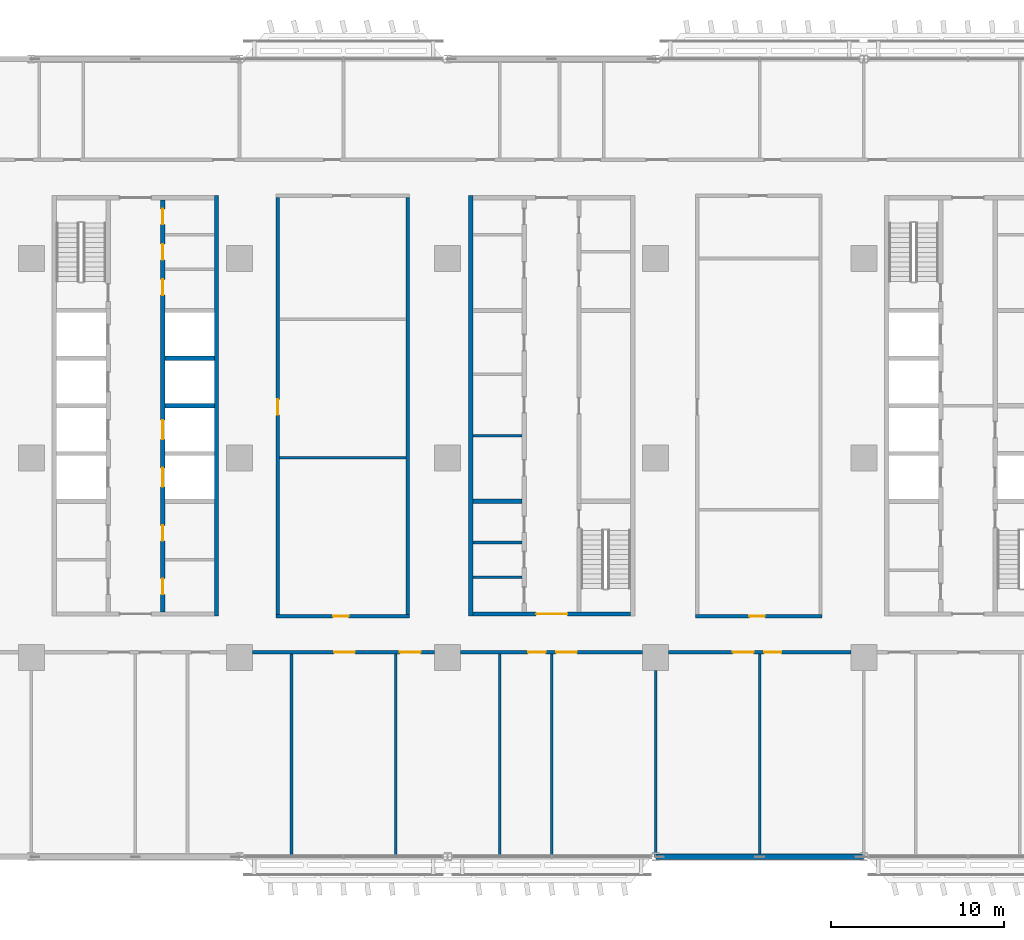
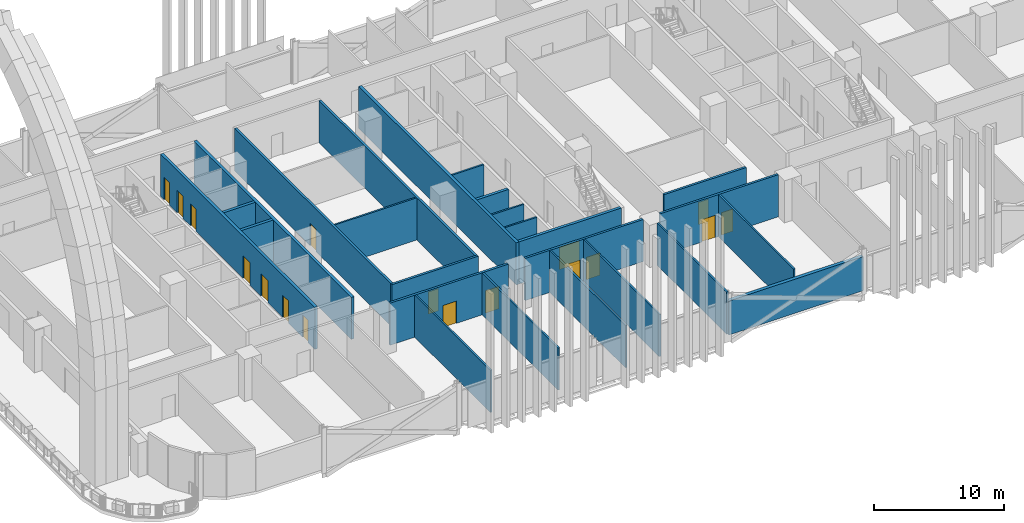
# One storey, part 10 of 29: 25 walls, 17 doors, 17 openings.
"""IFC4 building model written with IfcOpenShell, lengths in metres."""

from ifc_helpers import new_model, si_unit, direction, frame, frame_2d, origin, place, context, subcontext, project, spatial, rectangle, extrude, material, layer, layer_set, type_object, element, fill, save


model = new_model("IFC4")

# Units and contexts
model_context = context("Model", 3, precision=1e-05, world=origin(), true_north=direction((0.0, 1.0)))
body_context = subcontext(model_context, "Body", "Model", "MODEL_VIEW")
ifc_project = project(units=[si_unit("LENGTHUNIT", "METRE"), si_unit("AREAUNIT", "SQUARE_METRE"), si_unit("VOLUMEUNIT", "CUBIC_METRE"), si_unit("PLANEANGLEUNIT", "RADIAN"), si_unit("MASSUNIT", "GRAM", prefix="KILO")], contexts=[model_context])

# Site, building, storey
site_placement = place(None, origin())
site = spatial("IfcSite", under=ifc_project, at=site_placement, CompositionType="ELEMENT")
building_placement = place(site_placement, origin())
building = spatial("IfcBuilding", under=site, at=building_placement, Name="Mahtab Terrace Research Tower", CompositionType="ELEMENT")
storey_placement = place(building_placement, frame((0.0, 0.0, 46.0)))
storey = spatial("IfcBuildingStorey", under=building, at=storey_placement, Name="L10", CompositionType="ELEMENT", Elevation=46.0)

# Walls
ifc_material_1 = material(Name="Gypsum board partition")
ifc_layer_1 = layer(ifc_material_1, 0.14990234375)
ifc_layer_set_1 = layer_set([ifc_layer_1], Name="Core partition 150")
wall_type_1 = type_object("IfcWallType", Name="Core partition 150", PredefinedType="PARTITIONING", material=ifc_layer_set_1)
for number, where, z_axis, x_axis, name in (
    (1, (-4.550048828125, 1.280029296875, 0.0), (0.0, 0.0, 1.0), (1.0, 0.0, 0.0), "Core wall B pWL-172"),
    (2, (-4.550048828125, -6.875, 0.0), (0.0, 0.0, 1.0), (1.0, 0.0, 0.0), "Core wall B pWS-988"),
    (3, (-4.550048828125, -4.875, 0.0), (0.0, 0.0, 1.0), (1.0, 0.0, 0.0), "Core wall B pWS-788"),
):
    element("IfcWall", number, at=place(storey_placement, frame(where, z_axis=z_axis, x_axis=x_axis)), inside=storey, type_object=wall_type_1, Name=name, PredefinedType="PARTITIONING", context=body_context, shape_type="SweptSolid", body=[
        extrude(rectangle(XDim=2.85009765625, YDim=0.14990234375, at=frame_2d((1.425048828125, 0.0))), origin(), (0.0, 0.0, 1.0), 3.9599609375),
    ])
ifc_material_2 = material(Name="Concrete C70/85", Category="concrete")
ifc_layer_2 = layer(ifc_material_2, 0.25)
ifc_layer_set_2 = layer_set([ifc_layer_2], Name="Core wall 250")
wall_type_2 = type_object("IfcWallType", Name="Core wall 250", PredefinedType="SOLIDWALL", material=ifc_layer_set_2)
wall_1_placement = place(storey_placement, frame((-19.324951171875, -9.125, 0.0), z_axis=(0.0, 0.0, 1.0), x_axis=(0.0, 1.0, 0.0)))
element("IfcWall", 4, at=wall_1_placement, inside=storey, type_object=wall_type_2, Name="Core wall A outerE", PredefinedType="SOLIDWALL", context=body_context, shape_type="SweptSolid", body=[
    extrude(rectangle(XDim=24.25, YDim=0.25, at=frame_2d((12.125, 0.0))), origin(), (0.0, 0.0, 1.0), 3.9599609375),
])

# Wall, openings, doors
wall_2_placement = place(storey_placement, frame((-22.425048828125, 14.875, 0.0), z_axis=(0.0, 0.0, 1.0), x_axis=(0.0, -1.0, 0.0)))
wall_2 = element("IfcWall", 5, at=wall_2_placement, inside=storey, type_object=wall_type_2, Name="Core wall A innerESLN", PredefinedType="SOLIDWALL", context=body_context, shape_type="SweptSolid", body=[
    extrude(rectangle(XDim=23.75, YDim=0.25, at=frame_2d((11.875, 0.0))), origin(), (0.0, 0.0, 1.0), 3.9599609375),
])
opening_1_placement = place(wall_2_placement, frame((15.449951171875, 0.0, 0.0)))
opening_1 = element("IfcOpeningElement", 6, at=opening_1_placement, cuts=wall_2, Name="Opening LD05-L10", PredefinedType="OPENING", context=body_context, shape_type="SweptSolid", body=[
    extrude(rectangle(XDim=1.10009765625, YDim=2.10009765625, at=frame_2d((0.550048828125, 1.050048828125))), frame((0.0, 0.135009765625, 0.0), z_axis=(0.0, -1.0, 0.0), x_axis=(1.0, 0.0, 0.0)), (0.0, 0.0, 1.0), 0.27001953125),
])
opening_2_placement = place(wall_2_placement, frame((12.699951171875, 0.0, 0.0)))
opening_2 = element("IfcOpeningElement", 7, at=opening_2_placement, cuts=wall_2, Name="Opening LD06-L10", PredefinedType="OPENING", context=body_context, shape_type="SweptSolid", body=[
    extrude(rectangle(XDim=1.10009765625, YDim=2.10009765625, at=frame_2d((0.550048828125, 1.050048828125))), frame((0.0, 0.135009765625, 0.0), z_axis=(0.0, -1.0, 0.0), x_axis=(1.0, 0.0, 0.0)), (0.0, 0.0, 1.0), 0.27001953125),
])
opening_3_placement = place(wall_2_placement, frame((21.83740234375, 0.0, 0.0)))
opening_3 = element("IfcOpeningElement", 8, at=opening_3_placement, cuts=wall_2, Name="Opening A-R3", PredefinedType="OPENING", context=body_context, shape_type="SweptSolid", body=[
    extrude(rectangle(XDim=0.89990234375, YDim=2.10009765625, at=frame_2d((0.449951171875, 1.050048828125))), frame((0.0, 0.135009765625, 0.0), z_axis=(0.0, -1.0, 0.0), x_axis=(1.0, 0.0, 0.0)), (0.0, 0.0, 1.0), 0.27001953125),
])
opening_4_placement = place(wall_2_placement, frame((18.762451171875, 0.0, 0.0)))
opening_4 = element("IfcOpeningElement", 9, at=opening_4_placement, cuts=wall_2, Name="Opening A-R4", PredefinedType="OPENING", context=body_context, shape_type="SweptSolid", body=[
    extrude(rectangle(XDim=0.89990234375, YDim=2.10009765625, at=frame_2d((0.449951171875, 1.050048828125))), frame((0.0, 0.135009765625, 0.0), z_axis=(0.0, -1.0, 0.0), x_axis=(1.0, 0.0, 0.0)), (0.0, 0.0, 1.0), 0.27001953125),
])
opening_5_placement = place(wall_2_placement, frame((4.58740234375, 0.0, 0.0)))
opening_5 = element("IfcOpeningElement", 10, at=opening_5_placement, cuts=wall_2, Name="Opening A-R5", PredefinedType="OPENING", context=body_context, shape_type="SweptSolid", body=[
    extrude(rectangle(XDim=0.89990234375, YDim=2.10009765625, at=frame_2d((0.449951171875, 1.050048828125))), frame((0.0, 0.135009765625, 0.0), z_axis=(0.0, -1.0, 0.0), x_axis=(1.0, 0.0, 0.0)), (0.0, 0.0, 1.0), 0.27001953125),
])
opening_6_placement = place(wall_2_placement, frame((2.550048828125, 0.0, 0.0)))
opening_6 = element("IfcOpeningElement", 11, at=opening_6_placement, cuts=wall_2, Name="Opening A-R6", PredefinedType="OPENING", context=body_context, shape_type="SweptSolid", body=[
    extrude(rectangle(XDim=0.89990234375, YDim=2.10009765625, at=frame_2d((0.449951171875, 1.050048828125))), frame((0.0, 0.135009765625, 0.0), z_axis=(0.0, -1.0, 0.0), x_axis=(1.0, 0.0, 0.0)), (0.0, 0.0, 1.0), 0.27001953125),
])
opening_7_placement = place(wall_2_placement, frame((0.512451171875, 0.0, 0.0)))
opening_7 = element("IfcOpeningElement", 12, at=opening_7_placement, cuts=wall_2, Name="Opening A-R7", PredefinedType="OPENING", context=body_context, shape_type="SweptSolid", body=[
    extrude(rectangle(XDim=0.89990234375, YDim=2.10009765625, at=frame_2d((0.449951171875, 1.050048828125))), frame((0.0, 0.135009765625, 0.0), z_axis=(0.0, -1.0, 0.0), x_axis=(1.0, 0.0, 0.0)), (0.0, 0.0, 1.0), 0.27001953125),
])
ifc_material_3 = material(Name="Stainless steel AISI 304", Category="steel")
door_type_1 = type_object("IfcDoorType", Name="Landing door 1100x2100", OperationType="DOUBLE_DOOR_SLIDING", PredefinedType="DOOR", material=ifc_material_3)
door_1_placement = place(opening_1_placement, origin())
door_1 = element("IfcDoor", 13, at=door_1_placement, inside=storey, type_object=door_type_1, Name="Landing door LR5 L10", OperationType="DOUBLE_DOOR_SLIDING", OverallHeight=2.10009765625, OverallWidth=1.10009765625, PredefinedType="DOOR", context=body_context, shape_type="SweptSolid", body=[
    extrude(rectangle(XDim=1.10009765625, YDim=2.10009765625, at=frame_2d((0.550048828125, 1.050048828125))), frame((0.0, 0.02490234375, 0.0), z_axis=(0.0, -1.0, 0.0), x_axis=(1.0, 0.0, 0.0)), (0.0, 0.0, 1.0), 0.050048828125),
])
fill(opening_1, door_1)
door_2_placement = place(opening_2_placement, origin())
door_2 = element("IfcDoor", 14, at=door_2_placement, inside=storey, type_object=door_type_1, Name="Landing door LR6 L10", OperationType="DOUBLE_DOOR_SLIDING", OverallHeight=2.10009765625, OverallWidth=1.10009765625, PredefinedType="DOOR", context=body_context, shape_type="SweptSolid", body=[
    extrude(rectangle(XDim=1.10009765625, YDim=2.10009765625, at=frame_2d((0.550048828125, 1.050048828125))), frame((0.0, 0.02490234375, 0.0), z_axis=(0.0, -1.0, 0.0), x_axis=(1.0, 0.0, 0.0)), (0.0, 0.0, 1.0), 0.050048828125),
])
fill(opening_2, door_2)
ifc_material_4 = material(Name="Steel fire door", Category="steel")
door_type_2 = type_object("IfcDoorType", Name="Room door 900x2100 1 HR", OperationType="NOTDEFINED", PredefinedType="DOOR", material=ifc_material_4)
door_3_placement = place(opening_3_placement, origin())
door_3 = element("IfcDoor", 15, at=door_3_placement, inside=storey, type_object=door_type_2, Name="Housekeeping store door", OperationType="SINGLE_SWING_LEFT", OverallHeight=2.10009765625, OverallWidth=0.89990234375, PredefinedType="DOOR", context=body_context, shape_type="SweptSolid", body=[
    extrude(rectangle(XDim=0.89990234375, YDim=2.10009765625, at=frame_2d((0.449951171875, 1.050048828125))), frame((0.0, 0.02490234375, 0.0), z_axis=(0.0, -1.0, 0.0), x_axis=(1.0, 0.0, 0.0)), (0.0, 0.0, 1.0), 0.050048828125),
])
fill(opening_3, door_3)
door_4_placement = place(opening_4_placement, origin())
door_4 = element("IfcDoor", 16, at=door_4_placement, inside=storey, type_object=door_type_2, Name="Electrical riser room door", OperationType="SINGLE_SWING_RIGHT", OverallHeight=2.10009765625, OverallWidth=0.89990234375, PredefinedType="DOOR", context=body_context, shape_type="SweptSolid", body=[
    extrude(rectangle(XDim=0.89990234375, YDim=2.10009765625, at=frame_2d((0.449951171875, 1.050048828125))), frame((0.0, 0.02490234375, 0.0), z_axis=(0.0, -1.0, 0.0), x_axis=(1.0, 0.0, 0.0)), (0.0, 0.0, 1.0), 0.050048828125),
])
fill(opening_4, door_4)
door_5_placement = place(opening_5_placement, origin())
door_5 = element("IfcDoor", 17, at=door_5_placement, inside=storey, type_object=door_type_2, Name="Comms riser room door", OperationType="SINGLE_SWING_LEFT", OverallHeight=2.10009765625, OverallWidth=0.89990234375, PredefinedType="DOOR", context=body_context, shape_type="SweptSolid", body=[
    extrude(rectangle(XDim=0.89990234375, YDim=2.10009765625, at=frame_2d((0.449951171875, 1.050048828125))), frame((0.0, 0.02490234375, 0.0), z_axis=(0.0, -1.0, 0.0), x_axis=(1.0, 0.0, 0.0)), (0.0, 0.0, 1.0), 0.050048828125),
])
fill(opening_5, door_5)
door_6_placement = place(opening_6_placement, origin())
door_6 = element("IfcDoor", 18, at=door_6_placement, inside=storey, type_object=door_type_2, Name="Pantry door", OperationType="SINGLE_SWING_RIGHT", OverallHeight=2.10009765625, OverallWidth=0.89990234375, PredefinedType="DOOR", context=body_context, shape_type="SweptSolid", body=[
    extrude(rectangle(XDim=0.89990234375, YDim=2.10009765625, at=frame_2d((0.449951171875, 1.050048828125))), frame((0.0, 0.02490234375, 0.0), z_axis=(0.0, -1.0, 0.0), x_axis=(1.0, 0.0, 0.0)), (0.0, 0.0, 1.0), 0.050048828125),
])
fill(opening_6, door_6)
door_7_placement = place(opening_7_placement, origin())
door_7 = element("IfcDoor", 19, at=door_7_placement, inside=storey, type_object=door_type_2, Name="Cleaners store door", OperationType="SINGLE_SWING_LEFT", OverallHeight=2.10009765625, OverallWidth=0.89990234375, PredefinedType="DOOR", context=body_context, shape_type="SweptSolid", body=[
    extrude(rectangle(XDim=0.89990234375, YDim=2.10009765625, at=frame_2d((0.449951171875, 1.050048828125))), frame((0.0, 0.02490234375, 0.0), z_axis=(0.0, -1.0, 0.0), x_axis=(1.0, 0.0, 0.0)), (0.0, 0.0, 1.0), 0.050048828125),
])
fill(opening_7, door_7)

# Walls
for number, where, z_axis, x_axis, name in (
    (20, (-22.300048828125, 3.0, 0.0), (0.0, 0.0, 1.0), (1.0, 0.0, 0.0), "Core wall A divE2"),
    (21, (-22.300048828125, 5.75, 0.0), (0.0, 0.0, 1.0), (1.0, 0.0, 0.0), "Core wall A divE3"),
):
    element("IfcWall", number, at=place(storey_placement, frame(where, z_axis=z_axis, x_axis=x_axis)), inside=storey, type_object=wall_type_2, Name=name, PredefinedType="SOLIDWALL", context=body_context, shape_type="SweptSolid", body=[
        extrude(rectangle(XDim=2.85009765625, YDim=0.25, at=frame_2d((1.425048828125, 0.0))), origin(), (0.0, 0.0, 1.0), 3.9599609375),
    ])
wall_3_placement = place(storey_placement, frame((-4.675048828125, 15.125, 0.0), z_axis=(0.0, 0.0, 1.0), x_axis=(0.0, -1.0, 0.0)))
element("IfcWall", 22, at=wall_3_placement, inside=storey, type_object=wall_type_2, Name="Core wall B outerW", PredefinedType="SOLIDWALL", context=body_context, shape_type="SweptSolid", body=[
    extrude(rectangle(XDim=24.25, YDim=0.25, at=frame_2d((12.125, 0.0))), origin(), (0.0, 0.0, 1.0), 3.9599609375),
])

# Wall, opening, door
wall_4_placement = place(storey_placement, frame((4.550048828125, -9.0, 0.0), z_axis=(0.0, 0.0, 1.0), x_axis=(-1.0, 0.0, 0.0)))
wall_4 = element("IfcWall", 23, at=wall_4_placement, inside=storey, type_object=wall_type_2, Name="Core wall B endS", PredefinedType="SOLIDWALL", context=body_context, shape_type="SweptSolid", body=[
    extrude(rectangle(XDim=9.10009765625, YDim=0.25, at=frame_2d((4.550048828125, 0.0))), origin(), (0.0, 0.0, 1.0), 3.9599609375),
])
opening_8_placement = place(wall_4_placement, frame((3.64990234375, 0.0, 0.0)))
opening_8 = element("IfcOpeningElement", 24, at=opening_8_placement, cuts=wall_4, Name="Opening B-S1", PredefinedType="OPENING", context=body_context, shape_type="SweptSolid", body=[
    extrude(rectangle(XDim=1.800048828125, YDim=2.10009765625, at=frame_2d((0.89990234375, 1.050048828125))), frame((0.0, 0.135009765625, 0.0), z_axis=(0.0, -1.0, 0.0), x_axis=(1.0, 0.0, 0.0)), (0.0, 0.0, 1.0), 0.27001953125),
])
door_type_3 = type_object("IfcDoorType", Name="Lobby double door 1800x2100 1 HR", OperationType="DOUBLE_DOOR_SINGLE_SWING", PredefinedType="DOOR", material=ifc_material_4)
door_8_placement = place(opening_8_placement, origin())
door_8 = element("IfcDoor", 25, at=door_8_placement, inside=storey, type_object=door_type_3, Name="Core entrance door B S", OperationType="DOUBLE_DOOR_SINGLE_SWING", OverallHeight=2.10009765625, OverallWidth=1.800048828125, PredefinedType="DOOR", context=body_context, shape_type="SweptSolid", body=[
    extrude(rectangle(XDim=1.800048828125, YDim=2.10009765625, at=frame_2d((0.89990234375, 1.050048828125))), frame((0.0, 0.02490234375, 0.0), z_axis=(0.0, -1.0, 0.0), x_axis=(1.0, 0.0, 0.0)), (0.0, 0.0, 1.0), 0.050048828125),
])
fill(opening_8, door_8)

# Walls
wall_5_placement = place(storey_placement, frame((-4.550048828125, -2.5, 0.0), z_axis=(0.0, 0.0, 1.0), x_axis=(1.0, 0.0, 0.0)))
element("IfcWall", 26, at=wall_5_placement, inside=storey, type_object=wall_type_2, Name="Core wall B divW0", PredefinedType="SOLIDWALL", context=body_context, shape_type="SweptSolid", body=[
    extrude(rectangle(XDim=2.85009765625, YDim=0.25, at=frame_2d((1.425048828125, 0.0))), origin(), (0.0, 0.0, 1.0), 3.9599609375),
])
ifc_material_5 = material(Name="Black aluminium cladding panel", Category="aluminium")
ifc_layer_3 = layer(ifc_material_5, 0.300048828125)
ifc_layer_set_3 = layer_set([ifc_layer_3], Name="Opaque facade wall 300")
wall_type_3 = type_object("IfcWallType", Name="Opaque facade wall 300", PredefinedType="NOTDEFINED", material=ifc_layer_set_3)
wall_6_placement = place(storey_placement, frame((6.02392578125, -23.0, 0.0), z_axis=(0.0, 0.0, 1.0), x_axis=(1.0, 0.0, 0.0)))
element("IfcWall", 27, at=wall_6_placement, inside=storey, type_object=wall_type_3, Name="Opaque facade wall L10 S27", PredefinedType="NOTDEFINED", context=body_context, shape_type="SweptSolid", body=[
    extrude(rectangle(XDim=11.9521484375, YDim=0.300048828125, at=frame_2d((5.97607421875, 0.0))), origin(), (0.0, 0.0, 1.0), 3.203125),
])

# Wall, openings, doors
ifc_material_6 = material(Name="Gypsum board corridor wall on steel studs", Category="steel")
ifc_layer_4 = layer(ifc_material_6, 0.199951171875)
ifc_layer_set_4 = layer_set([ifc_layer_4], Name="WALL CORRIDOR 200")
wall_type_4 = type_object("IfcWallType", Name="WALL CORRIDOR 200", PredefinedType="PARTITIONING", material=ifc_layer_set_4)
wall_7_placement = place(storey_placement, frame((-17.25, -11.199951171875, 0.0), z_axis=(0.0, 0.0, 1.0), x_axis=(1.0, 0.0, 0.0)))
wall_7 = element("IfcWall", 28, at=wall_7_placement, inside=storey, type_object=wall_type_4, Name="L10-W003", PredefinedType="PARTITIONING", context=body_context, shape_type="SweptSolid", body=[
    extrude(rectangle(XDim=10.5, YDim=0.199951171875, at=frame_2d((5.25, 0.0))), origin(), (0.0, 0.0, 1.0), 3.9599609375),
])
opening_9_placement = place(wall_7_placement, frame((4.699951171875, 0.0, 0.0)))
opening_9 = element("IfcOpeningElement", 29, at=opening_9_placement, cuts=wall_7, Name="Opening L10-106", PredefinedType="OPENING", context=body_context, shape_type="SweptSolid", body=[
    extrude(rectangle(XDim=1.199951171875, YDim=2.10009765625, at=frame_2d((0.60009765625, 1.050048828125))), frame((0.0, 0.10986328125, 0.0), z_axis=(0.0, -1.0, 0.0), x_axis=(1.0, 0.0, 0.0)), (0.0, 0.0, 1.0), 0.219970703125),
])
opening_10_placement = place(wall_7_placement, frame((8.5, 0.0, 0.0)))
opening_10 = element("IfcOpeningElement", 30, at=opening_10_placement, cuts=wall_7, Name="Opening L10-107", PredefinedType="OPENING", context=body_context, shape_type="SweptSolid", body=[
    extrude(rectangle(XDim=1.199951171875, YDim=2.10009765625, at=frame_2d((0.60009765625, 1.050048828125))), frame((0.0, 0.10986328125, 0.0), z_axis=(0.0, -1.0, 0.0), x_axis=(1.0, 0.0, 0.0)), (0.0, 0.0, 1.0), 0.219970703125),
])
ifc_material_7 = material(Name="Timber door leaf in steel frame", Category="steel")
door_type_4 = type_object("IfcDoorType", Name="DOOR 1200X2100 FD30S", OperationType="SINGLE_SWING_LEFT", PredefinedType="DOOR", material=ifc_material_7)
door_9_placement = place(opening_9_placement, origin())
door_9 = element("IfcDoor", 31, at=door_9_placement, inside=storey, type_object=door_type_4, Name="Door L10-106", OperationType="SINGLE_SWING_LEFT", OverallHeight=2.10009765625, OverallWidth=1.199951171875, PredefinedType="DOOR", context=body_context, shape_type="SweptSolid", body=[
    extrude(rectangle(XDim=1.199951171875, YDim=2.10009765625, at=frame_2d((0.60009765625, 1.050048828125))), frame((0.0, 0.02490234375, 0.0), z_axis=(0.0, -1.0, 0.0), x_axis=(1.0, 0.0, 0.0)), (0.0, 0.0, 1.0), 0.050048828125),
])
fill(opening_9, door_9)
door_10_placement = place(opening_10_placement, origin())
door_10 = element("IfcDoor", 32, at=door_10_placement, inside=storey, type_object=door_type_4, Name="Door L10-107", OperationType="SINGLE_SWING_LEFT", OverallHeight=2.10009765625, OverallWidth=1.199951171875, PredefinedType="DOOR", context=body_context, shape_type="SweptSolid", body=[
    extrude(rectangle(XDim=1.199951171875, YDim=2.10009765625, at=frame_2d((0.60009765625, 1.050048828125))), frame((0.0, 0.02490234375, 0.0), z_axis=(0.0, -1.0, 0.0), x_axis=(1.0, 0.0, 0.0)), (0.0, 0.0, 1.0), 0.050048828125),
])
fill(opening_10, door_10)

wall_8_placement = place(storey_placement, frame((-5.25, -11.199951171875, 0.0), z_axis=(0.0, 0.0, 1.0), x_axis=(1.0, 0.0, 0.0)))
wall_8 = element("IfcWall", 33, at=wall_8_placement, inside=storey, type_object=wall_type_4, Name="L10-W004", PredefinedType="PARTITIONING", context=body_context, shape_type="SweptSolid", body=[
    extrude(rectangle(XDim=10.5, YDim=0.199951171875, at=frame_2d((5.25, 0.0))), origin(), (0.0, 0.0, 1.0), 3.9599609375),
])
opening_11_placement = place(wall_8_placement, frame((3.89990234375, 0.0, 0.0)))
opening_11 = element("IfcOpeningElement", 34, at=opening_11_placement, cuts=wall_8, Name="Opening L10-108", PredefinedType="OPENING", context=body_context, shape_type="SweptSolid", body=[
    extrude(rectangle(XDim=1.0, YDim=2.10009765625, at=frame_2d((0.5, 1.050048828125))), frame((0.0, 0.10986328125, 0.0), z_axis=(0.0, -1.0, 0.0), x_axis=(1.0, 0.0, 0.0)), (0.0, 0.0, 1.0), 0.219970703125),
])
opening_12_placement = place(wall_8_placement, frame((5.5, 0.0, 0.0)))
opening_12 = element("IfcOpeningElement", 35, at=opening_12_placement, cuts=wall_8, Name="Opening L10-109", PredefinedType="OPENING", context=body_context, shape_type="SweptSolid", body=[
    extrude(rectangle(XDim=1.199951171875, YDim=2.10009765625, at=frame_2d((0.60009765625, 1.050048828125))), frame((0.0, 0.10986328125, 0.0), z_axis=(0.0, -1.0, 0.0), x_axis=(1.0, 0.0, 0.0)), (0.0, 0.0, 1.0), 0.219970703125),
])
door_type_5 = type_object("IfcDoorType", Name="DOOR 1000X2100 FD30S", OperationType="SINGLE_SWING_LEFT", PredefinedType="DOOR", material=ifc_material_7)
door_11_placement = place(opening_11_placement, origin())
door_11 = element("IfcDoor", 36, at=door_11_placement, inside=storey, type_object=door_type_5, Name="Door L10-108", OperationType="SINGLE_SWING_RIGHT", OverallHeight=2.10009765625, OverallWidth=1.0, PredefinedType="DOOR", context=body_context, shape_type="SweptSolid", body=[
    extrude(rectangle(XDim=1.0, YDim=2.10009765625, at=frame_2d((0.5, 1.050048828125))), frame((0.0, 0.02490234375, 0.0), z_axis=(0.0, -1.0, 0.0), x_axis=(1.0, 0.0, 0.0)), (0.0, 0.0, 1.0), 0.050048828125),
])
fill(opening_11, door_11)
door_12_placement = place(opening_12_placement, origin())
door_12 = element("IfcDoor", 37, at=door_12_placement, inside=storey, type_object=door_type_4, Name="Door L10-109", OperationType="SINGLE_SWING_LEFT", OverallHeight=2.10009765625, OverallWidth=1.199951171875, PredefinedType="DOOR", context=body_context, shape_type="SweptSolid", body=[
    extrude(rectangle(XDim=1.199951171875, YDim=2.10009765625, at=frame_2d((0.60009765625, 1.050048828125))), frame((0.0, 0.02490234375, 0.0), z_axis=(0.0, -1.0, 0.0), x_axis=(1.0, 0.0, 0.0)), (0.0, 0.0, 1.0), 0.050048828125),
])
fill(opening_12, door_12)

wall_9_placement = place(storey_placement, frame((6.75, -11.199951171875, 0.0), z_axis=(0.0, 0.0, 1.0), x_axis=(1.0, 0.0, 0.0)))
wall_9 = element("IfcWall", 38, at=wall_9_placement, inside=storey, type_object=wall_type_4, Name="L10-W005", PredefinedType="PARTITIONING", context=body_context, shape_type="SweptSolid", body=[
    extrude(rectangle(XDim=10.5, YDim=0.199951171875, at=frame_2d((5.25, 0.0))), origin(), (0.0, 0.0, 1.0), 3.9599609375),
])
opening_13_placement = place(wall_9_placement, frame((3.699951171875, 0.0, 0.0)))
opening_13 = element("IfcOpeningElement", 39, at=opening_13_placement, cuts=wall_9, Name="Opening L10-110", PredefinedType="OPENING", context=body_context, shape_type="SweptSolid", body=[
    extrude(rectangle(XDim=1.199951171875, YDim=2.10009765625, at=frame_2d((0.60009765625, 1.050048828125))), frame((0.0, 0.10986328125, 0.0), z_axis=(0.0, -1.0, 0.0), x_axis=(1.0, 0.0, 0.0)), (0.0, 0.0, 1.0), 0.219970703125),
])
opening_14_placement = place(wall_9_placement, frame((5.5, 0.0, 0.0)))
opening_14 = element("IfcOpeningElement", 40, at=opening_14_placement, cuts=wall_9, Name="Opening L10-111", PredefinedType="OPENING", context=body_context, shape_type="SweptSolid", body=[
    extrude(rectangle(XDim=1.0, YDim=2.10009765625, at=frame_2d((0.5, 1.050048828125))), frame((0.0, 0.10986328125, 0.0), z_axis=(0.0, -1.0, 0.0), x_axis=(1.0, 0.0, 0.0)), (0.0, 0.0, 1.0), 0.219970703125),
])
door_13_placement = place(opening_14_placement, origin())
door_13 = element("IfcDoor", 41, at=door_13_placement, inside=storey, type_object=door_type_5, Name="Door L10-111", OperationType="SINGLE_SWING_LEFT", OverallHeight=2.10009765625, OverallWidth=1.0, PredefinedType="DOOR", context=body_context, shape_type="SweptSolid", body=[
    extrude(rectangle(XDim=1.0, YDim=2.10009765625, at=frame_2d((0.5, 1.050048828125))), frame((0.0, 0.02490234375, 0.0), z_axis=(0.0, -1.0, 0.0), x_axis=(1.0, 0.0, 0.0)), (0.0, 0.0, 1.0), 0.050048828125),
])
fill(opening_14, door_13)
door_14_placement = place(opening_13_placement, origin())
door_14 = element("IfcDoor", 42, at=door_14_placement, inside=storey, type_object=door_type_4, Name="Door L10-110", OperationType="SINGLE_SWING_RIGHT", OverallHeight=2.10009765625, OverallWidth=1.199951171875, PredefinedType="DOOR", context=body_context, shape_type="SweptSolid", body=[
    extrude(rectangle(XDim=1.199951171875, YDim=2.10009765625, at=frame_2d((0.60009765625, 1.050048828125))), frame((0.0, 0.02490234375, 0.0), z_axis=(0.0, -1.0, 0.0), x_axis=(1.0, 0.0, 0.0)), (0.0, 0.0, 1.0), 0.050048828125),
])
fill(opening_13, door_14)

# Wall, opening, door
wall_10_placement = place(storey_placement, frame((-15.89990234375, -9.125, 0.0), z_axis=(0.0, 0.0, 1.0), x_axis=(1.0, 0.0, 0.0)))
wall_10 = element("IfcWall", 43, at=wall_10_placement, inside=storey, type_object=wall_type_4, Name="L10-W010", PredefinedType="PARTITIONING", context=body_context, shape_type="SweptSolid", body=[
    extrude(rectangle(XDim=7.699951171875, YDim=0.199951171875, at=frame_2d((3.85009765625, 0.0))), origin(), (0.0, 0.0, 1.0), 3.9599609375),
])
opening_15_placement = place(wall_10_placement, frame((3.300048828125, 0.0, 0.0)))
opening_15 = element("IfcOpeningElement", 44, at=opening_15_placement, cuts=wall_10, Name="Opening L10-121", PredefinedType="OPENING", context=body_context, shape_type="SweptSolid", body=[
    extrude(rectangle(XDim=0.89990234375, YDim=2.10009765625, at=frame_2d((0.449951171875, 1.050048828125))), frame((0.0, 0.10986328125, 0.0), z_axis=(0.0, -1.0, 0.0), x_axis=(1.0, 0.0, 0.0)), (0.0, 0.0, 1.0), 0.219970703125),
])
door_type_6 = type_object("IfcDoorType", Name="DOOR 0900X2100 FD30S", OperationType="SINGLE_SWING_LEFT", PredefinedType="DOOR", material=ifc_material_7)
door_15_placement = place(opening_15_placement, origin())
door_15 = element("IfcDoor", 45, at=door_15_placement, inside=storey, type_object=door_type_6, Name="Door L10-121", OperationType="SINGLE_SWING_LEFT", OverallHeight=2.10009765625, OverallWidth=0.89990234375, PredefinedType="DOOR", context=body_context, shape_type="SweptSolid", body=[
    extrude(rectangle(XDim=0.89990234375, YDim=2.10009765625, at=frame_2d((0.449951171875, 1.050048828125))), frame((0.0, 0.02490234375, 0.0), z_axis=(0.0, -1.0, 0.0), x_axis=(1.0, 0.0, 0.0)), (0.0, 0.0, 1.0), 0.050048828125),
])
fill(opening_15, door_15)

wall_11_placement = place(storey_placement, frame((8.300048828125, -9.125, 0.0), z_axis=(0.0, 0.0, 1.0), x_axis=(1.0, 0.0, 0.0)))
wall_11 = element("IfcWall", 46, at=wall_11_placement, inside=storey, type_object=wall_type_4, Name="L10-W011", PredefinedType="PARTITIONING", context=body_context, shape_type="SweptSolid", body=[
    extrude(rectangle(XDim=7.300048828125, YDim=0.199951171875, at=frame_2d((3.64990234375, 0.0))), origin(), (0.0, 0.0, 1.0), 3.9599609375),
])
opening_16_placement = place(wall_11_placement, frame((3.10009765625, 0.0, 0.0)))
opening_16 = element("IfcOpeningElement", 47, at=opening_16_placement, cuts=wall_11, Name="Opening L10-120", PredefinedType="OPENING", context=body_context, shape_type="SweptSolid", body=[
    extrude(rectangle(XDim=0.89990234375, YDim=2.10009765625, at=frame_2d((0.449951171875, 1.050048828125))), frame((0.0, 0.10986328125, 0.0), z_axis=(0.0, -1.0, 0.0), x_axis=(1.0, 0.0, 0.0)), (0.0, 0.0, 1.0), 0.219970703125),
])
door_16_placement = place(opening_16_placement, origin())
door_16 = element("IfcDoor", 48, at=door_16_placement, inside=storey, type_object=door_type_6, Name="Door L10-120", OperationType="SINGLE_SWING_LEFT", OverallHeight=2.10009765625, OverallWidth=0.89990234375, PredefinedType="DOOR", context=body_context, shape_type="SweptSolid", body=[
    extrude(rectangle(XDim=0.89990234375, YDim=2.10009765625, at=frame_2d((0.449951171875, 1.050048828125))), frame((0.0, 0.02490234375, 0.0), z_axis=(0.0, -1.0, 0.0), x_axis=(1.0, 0.0, 0.0)), (0.0, 0.0, 1.0), 0.050048828125),
])
fill(opening_16, door_16)

wall_12_placement = place(storey_placement, frame((-15.800048828125, -9.02490234375, 0.0), z_axis=(0.0, 0.0, 1.0), x_axis=(0.0, 1.0, 0.0)))
wall_12 = element("IfcWall", 49, at=wall_12_placement, inside=storey, type_object=wall_type_4, Name="L10-W037", PredefinedType="PARTITIONING", context=body_context, shape_type="SweptSolid", body=[
    extrude(rectangle(XDim=24.0498046875, YDim=0.199951171875, at=frame_2d((12.02490234375, 0.0))), origin(), (0.0, 0.0, 1.0), 3.9599609375),
])
opening_17_placement = place(wall_12_placement, frame((11.5, 0.0, 0.0)))
opening_17 = element("IfcOpeningElement", 50, at=opening_17_placement, cuts=wall_12, Name="Opening L10-125", PredefinedType="OPENING", context=body_context, shape_type="SweptSolid", body=[
    extrude(rectangle(XDim=0.89990234375, YDim=2.10009765625, at=frame_2d((0.449951171875, 1.050048828125))), frame((0.0, 0.10986328125, 0.0), z_axis=(0.0, -1.0, 0.0), x_axis=(1.0, 0.0, 0.0)), (0.0, 0.0, 1.0), 0.219970703125),
])
door_17_placement = place(opening_17_placement, origin())
door_17 = element("IfcDoor", 51, at=door_17_placement, inside=storey, type_object=door_type_6, Name="Door L10-125", OperationType="SINGLE_SWING_RIGHT", OverallHeight=2.10009765625, OverallWidth=0.89990234375, PredefinedType="DOOR", context=body_context, shape_type="SweptSolid", body=[
    extrude(rectangle(XDim=0.89990234375, YDim=2.10009765625, at=frame_2d((0.449951171875, 1.050048828125))), frame((0.0, 0.02490234375, 0.0), z_axis=(0.0, -1.0, 0.0), x_axis=(1.0, 0.0, 0.0)), (0.0, 0.0, 1.0), 0.050048828125),
])
fill(opening_17, door_17)

# Walls
wall_13_placement = place(storey_placement, frame((-8.300048828125, -9.02490234375, 0.0), z_axis=(0.0, 0.0, 1.0), x_axis=(0.0, 1.0, 0.0)))
element("IfcWall", 52, at=wall_13_placement, inside=storey, type_object=wall_type_4, Name="L10-W041", PredefinedType="PARTITIONING", context=body_context, shape_type="SweptSolid", body=[
    extrude(rectangle(XDim=24.0498046875, YDim=0.199951171875, at=frame_2d((12.02490234375, 0.0))), origin(), (0.0, 0.0, 1.0), 3.9599609375),
])
ifc_material_8 = material(Name="Gypsum board partition on steel studs", Category="steel")
ifc_layer_5 = layer(ifc_material_8, 0.14990234375)
ifc_layer_set_5 = layer_set([ifc_layer_5], Name="WALL PARTITION 150")
wall_type_5 = type_object("IfcWallType", Name="WALL PARTITION 150", PredefinedType="PARTITIONING", material=ifc_layer_set_5)
wall_14_placement = place(storey_placement, frame((-15.699951171875, 0.0, 0.0), z_axis=(0.0, 0.0, 1.0), x_axis=(1.0, 0.0, 0.0)))
element("IfcWall", 53, at=wall_14_placement, inside=storey, type_object=wall_type_5, Name="L10-W015", PredefinedType="PARTITIONING", context=body_context, shape_type="SweptSolid", body=[
    extrude(rectangle(XDim=7.300048828125, YDim=0.14990234375, at=frame_2d((3.64990234375, 0.0))), origin(), (0.0, 0.0, 1.0), 3.9599609375),
])
for number, where, z_axis, x_axis, name in (
    (54, (-15.0, -22.97509765625, 0.0), (0.0, 0.0, 1.0), (0.0, 1.0, 0.0), "L10-W038"),
    (55, (-9.0, -22.97509765625, 0.0), (0.0, 0.0, 1.0), (0.0, 1.0, 0.0), "L10-W040"),
    (56, (-3.0, -22.97509765625, 0.0), (0.0, 0.0, 1.0), (0.0, 1.0, 0.0), "L10-W042"),
    (57, (0.0, -22.97509765625, 0.0), (0.0, 0.0, 1.0), (0.0, 1.0, 0.0), "L10-W044"),
):
    element("IfcWall", number, at=place(storey_placement, frame(where, z_axis=z_axis, x_axis=x_axis)), inside=storey, type_object=wall_type_5, Name=name, PredefinedType="PARTITIONING", context=body_context, shape_type="SweptSolid", body=[
        extrude(rectangle(XDim=11.675048828125, YDim=0.14990234375, at=frame_2d((5.83740234375, 0.0))), origin(), (0.0, 0.0, 1.0), 3.9599609375),
    ])
wall_15_placement = place(storey_placement, frame((6.0, -22.97509765625, 0.0), z_axis=(0.0, 0.0, 1.0), x_axis=(0.0, 1.0, 0.0)))
element("IfcWall", 58, at=wall_15_placement, inside=storey, type_object=wall_type_5, Name="L10-W047", PredefinedType="PARTITIONING", context=body_context, shape_type="SweptSolid", body=[
    extrude(rectangle(XDim=10.72509765625, YDim=0.14990234375, at=frame_2d((5.362548828125, 0.0))), origin(), (0.0, 0.0, 1.0), 3.9599609375),
])
wall_16_placement = place(storey_placement, frame((12.0, -22.85009765625, 0.0), z_axis=(0.0, 0.0, 1.0), x_axis=(0.0, 1.0, 0.0)))
element("IfcWall", 59, at=wall_16_placement, inside=storey, type_object=wall_type_5, Name="L10-W049", PredefinedType="PARTITIONING", context=body_context, shape_type="SweptSolid", body=[
    extrude(rectangle(XDim=11.550048828125, YDim=0.14990234375, at=frame_2d((5.77490234375, 0.0))), origin(), (0.0, 0.0, 1.0), 3.9599609375),
])

save(model, "model.ifc")
